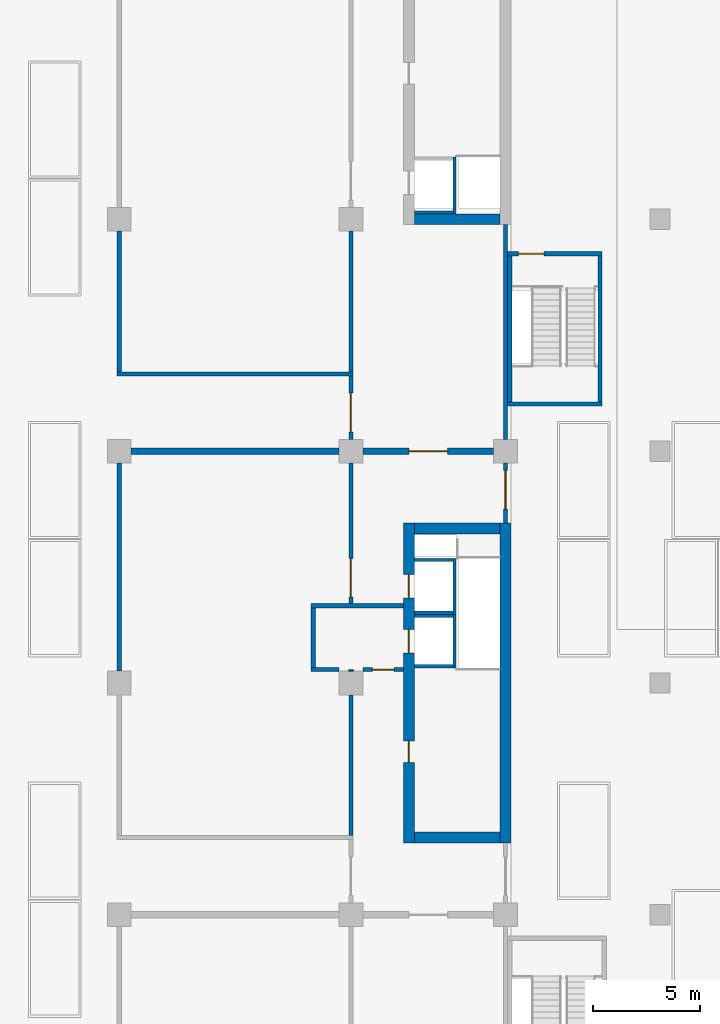
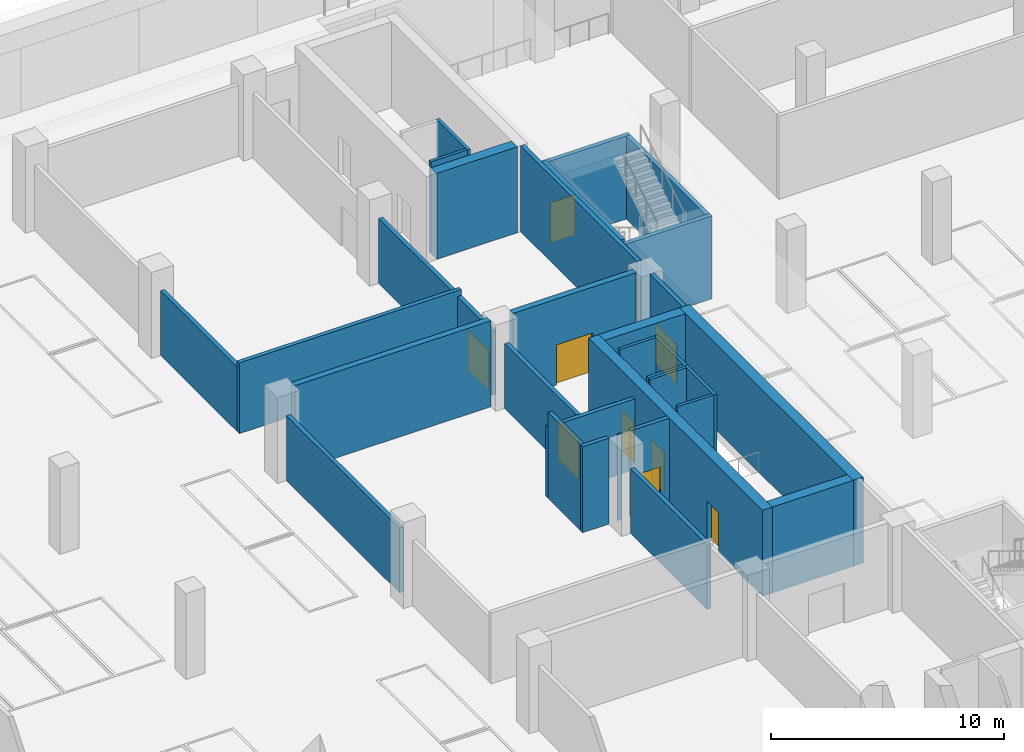
# One storey, part 6 of 18: 33 walls, 9 doors, 9 openings.
"""IFC4 building model written with IfcOpenShell, lengths in metres."""

from ifc_helpers import new_model, si_unit, direction, frame, frame_2d, origin, place, context, subcontext, project, spatial, rectangle, extrude, material, layer, layer_set, type_object, element, fill, save


model = new_model("IFC4")

# Units and contexts
model_context = context("Model", 3, precision=1e-05, world=origin(), true_north=direction((0.0, 1.0)))
body_context = subcontext(model_context, "Body", "Model", "MODEL_VIEW")
ifc_project = project(units=[si_unit("LENGTHUNIT", "METRE"), si_unit("AREAUNIT", "SQUARE_METRE"), si_unit("VOLUMEUNIT", "CUBIC_METRE"), si_unit("PLANEANGLEUNIT", "RADIAN"), si_unit("MASSUNIT", "GRAM", prefix="KILO")], contexts=[model_context])

# Site, building, storey
site_placement = place(None, origin())
site = spatial("IfcSite", under=ifc_project, at=site_placement, CompositionType="ELEMENT")
building_placement = place(site_placement, origin())
building = spatial("IfcBuilding", under=site, at=building_placement, Name="Basin Gate Institute", CompositionType="ELEMENT")
storey_placement = place(building_placement, frame((0.0, 0.0, -4.800048828125)))
storey = spatial("IfcBuildingStorey", under=building, at=storey_placement, Name="B1", CompositionType="ELEMENT", Elevation=-4.800048828125)

# Wall, opening, door
ifc_material_1 = material(Name="Concrete 50 MPa", Category="concrete")
ifc_layer_1 = layer(ifc_material_1, 0.199951171875)
ifc_layer_set_1 = layer_set([ifc_layer_1], Name="Concrete 50 MPa")
wall_type_1 = type_object("IfcWallType", Name="Basement bearing wall W66 REI 180", PredefinedType="SOLIDWALL", material=ifc_layer_set_1)
wall_1_placement = place(storey_placement, frame((118.800048828125, 74.949951171875, 0.0), z_axis=(0.0, 0.0, 1.0), x_axis=(0.0, 1.0, 0.0)))
wall_1 = element("IfcWall", 1, at=wall_1_placement, inside=storey, type_object=wall_type_1, material=ifc_layer_set_1, Name="Service Corridor B1 East bearing wall", PredefinedType="SOLIDWALL", context=body_context, shape_type="SweptSolid", body=[
    extrude(rectangle(XDim=2.800048828125, YDim=0.199951171875, at=frame_2d((1.39990234375, 0.0))), origin(), (0.0, 0.0, 1.0), 4.5),
])
opening_1_placement = place(wall_1_placement, frame((0.64990234375, 0.0, 0.0)))
opening_1 = element("IfcOpeningElement", 2, at=opening_1_placement, cuts=wall_1, Name="Opening DB117", PredefinedType="OPENING", context=body_context, shape_type="SweptSolid", body=[
    extrude(rectangle(XDim=1.800048828125, YDim=2.10009765625, at=frame_2d((0.89990234375, 1.050048828125))), frame((0.0, 0.10986328125, 0.0), z_axis=(0.0, -1.0, 0.0), x_axis=(1.0, 0.0, 0.0)), (0.0, 0.0, 1.0), 0.219970703125),
])
ifc_material_2 = material(Name="Steel door set", Category="steel")
door_type_1 = type_object("IfcDoorType", Name="Double fire door FD120 1800x2100", OperationType="DOUBLE_DOOR_SINGLE_SWING", PredefinedType="DOOR", material=ifc_material_2)
door_1_placement = place(opening_1_placement, origin())
door_1 = element("IfcDoor", 3, at=door_1_placement, inside=storey, type_object=door_type_1, material=ifc_material_2, Name="Door DB117 Service Corridor B1 East", OperationType="DOUBLE_DOOR_SINGLE_SWING", OverallHeight=2.10009765625, OverallWidth=1.800048828125, PredefinedType="DOOR", context=body_context, shape_type="SweptSolid", body=[
    extrude(rectangle(XDim=1.800048828125, YDim=2.10009765625, at=frame_2d((0.89990234375, 1.050048828125))), frame((0.0, 0.02490234375, 0.0), z_axis=(0.0, -1.0, 0.0), x_axis=(1.0, 0.0, 0.0)), (0.0, 0.0, 1.0), 0.050048828125),
])
fill(opening_1, door_1)

# Walls
wall_2_placement = place(storey_placement, frame((118.800048828125, 78.85009765625, 0.0), z_axis=(0.0, 0.0, 1.0), x_axis=(0.0, 1.0, 0.0)))
element("IfcWall", 4, at=wall_2_placement, inside=storey, type_object=wall_type_1, material=ifc_layer_set_1, Name="Service Corridor B1 East bearing wall", PredefinedType="SOLIDWALL", context=body_context, shape_type="SweptSolid", body=[
    extrude(rectangle(XDim=10.0, YDim=0.199951171875, at=frame_2d((5.0, 0.0))), origin(), (0.0, 0.0, 1.0), 4.5),
])
ifc_material_3 = material(Name="Blockwork", Category="masonry")
ifc_layer_2 = layer(ifc_material_3, 0.199951171875)
ifc_layer_set_2 = layer_set([ifc_layer_2], Name="Basement fire partition EI 120")
wall_type_2 = type_object("IfcWallType", Name="Basement fire partition EI 120", PredefinedType="PARTITIONING", material=ifc_layer_set_2)
wall_3_placement = place(storey_placement, frame((100.699951171875, 81.89990234375, 0.0), z_axis=(0.0, 0.0, 1.0), x_axis=(1.0, 0.0, 0.0)))
element("IfcWall", 5, at=wall_3_placement, inside=storey, type_object=wall_type_2, material=ifc_layer_set_2, Name="Sample Archive fire-resisting wall", PredefinedType="PARTITIONING", context=body_context, shape_type="SweptSolid", body=[
    extrude(rectangle(XDim=11.0, YDim=0.199951171875, at=frame_2d((5.5, 0.0))), origin(), (0.0, 0.0, 1.0), 3.699951171875),
])
wall_4_placement = place(storey_placement, frame((100.800048828125, 68.050048828125, 0.0), z_axis=(0.0, 0.0, 1.0), x_axis=(0.0, 1.0, 0.0)))
element("IfcWall", 6, at=wall_4_placement, inside=storey, type_object=wall_type_2, material=ifc_layer_set_2, Name="Chemical Store fire-resisting wall", PredefinedType="PARTITIONING", context=body_context, shape_type="SweptSolid", body=[
    extrude(rectangle(XDim=9.699951171875, YDim=0.199951171875, at=frame_2d((4.85009765625, 0.0))), origin(), (0.0, 0.0, 1.0), 3.400146484375),
])
for number, where, z_axis, x_axis, name in (
    (7, (100.800048828125, 82.0, 0.0), (0.0, 0.0, 1.0), (0.0, 1.0, 0.0), "Sample Archive fire-resisting wall"),
    (8, (111.60009765625, 60.39990234375, 0.0), (0.0, 0.0, 1.0), (0.0, 1.0, 0.0), "Chemical Store fire-resisting wall"),
):
    element("IfcWall", number, at=place(storey_placement, frame(where, z_axis=z_axis, x_axis=x_axis)), inside=storey, type_object=wall_type_2, material=ifc_layer_set_2, Name=name, PredefinedType="PARTITIONING", context=body_context, shape_type="SweptSolid", body=[
        extrude(rectangle(XDim=6.550048828125, YDim=0.199951171875, at=frame_2d((3.27490234375, 0.0))), origin(), (0.0, 0.0, 1.0), 3.400146484375),
    ])
wall_5_placement = place(storey_placement, frame((111.60009765625, 68.050048828125, 0.0), z_axis=(0.0, 0.0, 1.0), x_axis=(0.0, 1.0, 0.0)))
element("IfcWall", 9, at=wall_5_placement, inside=storey, type_object=wall_type_2, material=ifc_layer_set_2, Name="Chemical Store fire-resisting wall", PredefinedType="PARTITIONING", context=body_context, shape_type="SweptSolid", body=[
    extrude(rectangle(XDim=0.074951171875, YDim=0.199951171875, at=frame_2d((0.03759765625, 0.0))), origin(), (0.0, 0.0, 1.0), 4.5),
])

# Wall, opening, door
wall_6_placement = place(storey_placement, frame((111.60009765625, 71.199951171875, 0.0), z_axis=(0.0, 0.0, 1.0), x_axis=(0.0, 1.0, 0.0)))
wall_6 = element("IfcWall", 10, at=wall_6_placement, inside=storey, type_object=wall_type_2, material=ifc_layer_set_2, Name="Chemical Store fire-resisting wall", PredefinedType="PARTITIONING", context=body_context, shape_type="SweptSolid", body=[
    extrude(rectangle(XDim=6.550048828125, YDim=0.199951171875, at=frame_2d((3.27490234375, 0.0))), origin(), (0.0, 0.0, 1.0), 3.400146484375),
])
opening_2_placement = place(wall_6_placement, frame((0.300048828125, 0.0, 0.0)))
opening_2 = element("IfcOpeningElement", 11, at=opening_2_placement, cuts=wall_6, Name="Opening DB108", PredefinedType="OPENING", context=body_context, shape_type="SweptSolid", body=[
    extrude(rectangle(XDim=1.800048828125, YDim=2.10009765625, at=frame_2d((0.89990234375, 1.050048828125))), frame((0.0, 0.10986328125, 0.0), z_axis=(0.0, -1.0, 0.0), x_axis=(1.0, 0.0, 0.0)), (0.0, 0.0, 1.0), 0.219970703125),
])
door_2_placement = place(opening_2_placement, origin())
door_2 = element("IfcDoor", 12, at=door_2_placement, inside=storey, type_object=door_type_1, material=ifc_material_2, Name="Door DB108 Chemical Store", OperationType="DOUBLE_DOOR_SINGLE_SWING", OverallHeight=2.10009765625, OverallWidth=1.800048828125, PredefinedType="DOOR", context=body_context, shape_type="SweptSolid", body=[
    extrude(rectangle(XDim=1.800048828125, YDim=2.10009765625, at=frame_2d((0.89990234375, 1.050048828125))), frame((0.0, 0.02490234375, 0.0), z_axis=(0.0, -1.0, 0.0), x_axis=(1.0, 0.0, 0.0)), (0.0, 0.0, 1.0), 0.050048828125),
])
fill(opening_2, door_2)

# Walls
wall_7_placement = place(storey_placement, frame((111.60009765625, 82.0, 0.0), z_axis=(0.0, 0.0, 1.0), x_axis=(0.0, 1.0, 0.0)))
element("IfcWall", 13, at=wall_7_placement, inside=storey, type_object=wall_type_2, material=ifc_layer_set_2, Name="Sample Archive fire-resisting wall", PredefinedType="PARTITIONING", context=body_context, shape_type="SweptSolid", body=[
    extrude(rectangle(XDim=6.550048828125, YDim=0.199951171875, at=frame_2d((3.27490234375, 0.0))), origin(), (0.0, 0.0, 1.0), 3.400146484375),
])
ifc_material_4 = material(Name="Blockwork", Category="masonry")
ifc_layer_3 = layer(ifc_material_4, 0.199951171875)
ifc_layer_set_3 = layer_set([ifc_layer_3], Name="Basement fire partition EI 60")
wall_type_3 = type_object("IfcWallType", Name="Basement fire partition EI 60", PredefinedType="PARTITIONING", material=ifc_layer_set_3)
wall_8_placement = place(storey_placement, frame((109.75, 68.125, 0.0), z_axis=(0.0, 0.0, 1.0), x_axis=(1.0, 0.0, 0.0)))
element("IfcWall", 14, at=wall_8_placement, inside=storey, type_object=wall_type_3, material=ifc_layer_set_3, Name="Emergency Lift Lobby B1 LF2 fire-resisting wall", PredefinedType="PARTITIONING", context=body_context, shape_type="SweptSolid", body=[
    extrude(rectangle(XDim=1.300048828125, YDim=0.199951171875, at=frame_2d((0.64990234375, 0.0))), origin(), (0.0, 0.0, 1.0), 4.5),
])

# Wall, opening, door
wall_9_placement = place(storey_placement, frame((112.14990234375, 68.125, 0.0), z_axis=(0.0, 0.0, 1.0), x_axis=(1.0, 0.0, 0.0)))
wall_9 = element("IfcWall", 15, at=wall_9_placement, inside=storey, type_object=wall_type_3, material=ifc_layer_set_3, Name="Emergency Lift Lobby B1 LF2 fire-resisting wall", PredefinedType="PARTITIONING", context=body_context, shape_type="SweptSolid", body=[
    extrude(rectangle(XDim=1.900146484375, YDim=0.199951171875, at=frame_2d((0.9501953125, 0.0))), origin(), (0.0, 0.0, 1.0), 4.5),
])
opening_3_placement = place(wall_9_placement, frame((0.449951171875, 0.0, 0.0)))
opening_3 = element("IfcOpeningElement", 16, at=opening_3_placement, cuts=wall_9, Name="Opening DB129", PredefinedType="OPENING", context=body_context, shape_type="SweptSolid", body=[
    extrude(rectangle(XDim=1.0, YDim=2.10009765625, at=frame_2d((0.5, 1.050048828125))), frame((0.0, 0.10986328125, 0.0), z_axis=(0.0, -1.0, 0.0), x_axis=(1.0, 0.0, 0.0)), (0.0, 0.0, 1.0), 0.219970703125),
])
ifc_material_5 = material(Name="Steel door set", Category="steel")
door_type_2 = type_object("IfcDoorType", Name="Fire door FD60 1000x2100", OperationType="NOTDEFINED", PredefinedType="DOOR", material=ifc_material_5)
door_3_placement = place(opening_3_placement, frame((1.0, 0.0, 0.0), z_axis=(0.0, 0.0, 1.0), x_axis=(-1.0, 0.0, 0.0)))
door_3 = element("IfcDoor", 17, at=door_3_placement, inside=storey, type_object=door_type_2, material=ifc_material_5, Name="Door DB129 Emergency Lift Lobby B1 LF2", OperationType="SINGLE_SWING_LEFT", OverallHeight=2.10009765625, OverallWidth=1.0, PredefinedType="DOOR", context=body_context, shape_type="SweptSolid", body=[
    extrude(rectangle(XDim=1.0, YDim=2.10009765625, at=frame_2d((0.5, 1.050048828125))), frame((0.0, 0.02490234375, 0.0), z_axis=(0.0, -1.0, 0.0), x_axis=(1.0, 0.0, 0.0)), (0.0, 0.0, 1.0), 0.050048828125),
])
fill(opening_3, door_3)

# Walls
wall_10_placement = place(storey_placement, frame((109.75, 71.10009765625, 0.0), z_axis=(0.0, 0.0, 1.0), x_axis=(1.0, 0.0, 0.0)))
element("IfcWall", 18, at=wall_10_placement, inside=storey, type_object=wall_type_3, material=ifc_layer_set_3, Name="Emergency Lift Lobby B1 LF2 fire-resisting wall", PredefinedType="PARTITIONING", context=body_context, shape_type="SweptSolid", body=[
    extrude(rectangle(XDim=4.300048828125, YDim=0.199951171875, at=frame_2d((2.14990234375, 0.0))), origin(), (0.0, 0.0, 1.0), 3.699951171875),
])
wall_11_placement = place(storey_placement, frame((109.85009765625, 68.22509765625, 0.0), z_axis=(0.0, 0.0, 1.0), x_axis=(0.0, 1.0, 0.0)))
element("IfcWall", 19, at=wall_11_placement, inside=storey, type_object=wall_type_3, material=ifc_layer_set_3, Name="Emergency Lift Lobby B1 LF2 fire-resisting wall", PredefinedType="PARTITIONING", context=body_context, shape_type="SweptSolid", body=[
    extrude(rectangle(XDim=2.77490234375, YDim=0.199951171875, at=frame_2d((1.387451171875, 0.0))), origin(), (0.0, 0.0, 1.0), 4.5),
])

# Wall, opening, door
wall_12_placement = place(storey_placement, frame((111.60009765625, 78.85009765625, 0.0), z_axis=(0.0, 0.0, 1.0), x_axis=(0.0, 1.0, 0.0)))
wall_12 = element("IfcWall", 20, at=wall_12_placement, inside=storey, type_object=wall_type_3, material=ifc_layer_set_3, Name="Service Corridor B1 East fire-resisting wall", PredefinedType="PARTITIONING", context=body_context, shape_type="SweptSolid", body=[
    extrude(rectangle(XDim=2.949951171875, YDim=0.199951171875, at=frame_2d((1.47509765625, 0.0))), origin(), (0.0, 0.0, 1.0), 3.400146484375),
])
opening_4_placement = place(wall_12_placement, frame((0.35009765625, 0.0, 0.0)))
opening_4 = element("IfcOpeningElement", 21, at=opening_4_placement, cuts=wall_12, Name="Opening DB121", PredefinedType="OPENING", context=body_context, shape_type="SweptSolid", body=[
    extrude(rectangle(XDim=1.800048828125, YDim=2.10009765625, at=frame_2d((0.89990234375, 1.050048828125))), frame((0.0, 0.10986328125, 0.0), z_axis=(0.0, -1.0, 0.0), x_axis=(1.0, 0.0, 0.0)), (0.0, 0.0, 1.0), 0.219970703125),
])
ifc_material_6 = material(Name="Steel door set", Category="steel")
door_type_3 = type_object("IfcDoorType", Name="Double fire door FD60 1800x2100", OperationType="DOUBLE_DOOR_SINGLE_SWING", PredefinedType="DOOR", material=ifc_material_6)
door_4_placement = place(opening_4_placement, frame((1.800048828125, 0.0, 0.0), z_axis=(0.0, 0.0, 1.0), x_axis=(-1.0, 0.0, 0.0)))
door_4 = element("IfcDoor", 22, at=door_4_placement, inside=storey, type_object=door_type_3, material=ifc_material_6, Name="Door DB121 Service Corridor B1 East", OperationType="DOUBLE_DOOR_SINGLE_SWING", OverallHeight=2.10009765625, OverallWidth=1.800048828125, PredefinedType="DOOR", context=body_context, shape_type="SweptSolid", body=[
    extrude(rectangle(XDim=1.800048828125, YDim=2.10009765625, at=frame_2d((0.89990234375, 1.050048828125))), frame((0.0, 0.02490234375, 0.0), z_axis=(0.0, -1.0, 0.0), x_axis=(1.0, 0.0, 0.0)), (0.0, 0.0, 1.0), 0.050048828125),
])
fill(opening_4, door_4)

# Wall
ifc_material_7 = material(Name="Concrete 35 MPa", Category="concrete")
ifc_layer_4 = layer(ifc_material_7, 0.199951171875)
ifc_layer_set_4 = layer_set([ifc_layer_4], Name="Concrete 35 MPa")
wall_type_4 = type_object("IfcWallType", Name="Basement stair enclosure wall W67 REI 120", PredefinedType="SOLIDWALL", material=ifc_layer_set_4)
wall_13_placement = place(storey_placement, frame((118.89990234375, 80.5, 0.0), z_axis=(0.0, 0.0, 1.0), x_axis=(1.0, 0.0, 0.0)))
element("IfcWall", 23, at=wall_13_placement, inside=storey, type_object=wall_type_4, material=ifc_layer_set_4, Name="Stair Enclosure BS4 B1 enclosure wall", PredefinedType="SOLIDWALL", context=body_context, shape_type="SweptSolid", body=[
    extrude(rectangle(XDim=4.400146484375, YDim=0.199951171875, at=frame_2d((2.2001953125, 0.0))), origin(), (0.0, 0.0, 1.0), 4.35009765625),
])

# Wall, opening, door
wall_14_placement = place(storey_placement, frame((118.89990234375, 87.5, 0.0), z_axis=(0.0, 0.0, 1.0), x_axis=(1.0, 0.0, 0.0)))
wall_14 = element("IfcWall", 24, at=wall_14_placement, inside=storey, type_object=wall_type_4, material=ifc_layer_set_4, Name="Stair Enclosure BS4 B1 enclosure wall", PredefinedType="SOLIDWALL", context=body_context, shape_type="SweptSolid", body=[
    extrude(rectangle(XDim=4.400146484375, YDim=0.199951171875, at=frame_2d((2.2001953125, 0.0))), origin(), (0.0, 0.0, 1.0), 4.35009765625),
])
opening_5_placement = place(wall_14_placement, frame((0.5, 0.0, 0.0)))
opening_5 = element("IfcOpeningElement", 25, at=opening_5_placement, cuts=wall_14, Name="Opening DB134", PredefinedType="OPENING", context=body_context, shape_type="SweptSolid", body=[
    extrude(rectangle(XDim=1.199951171875, YDim=2.10009765625, at=frame_2d((0.60009765625, 1.050048828125))), frame((0.0, 0.10986328125, 0.0), z_axis=(0.0, -1.0, 0.0), x_axis=(1.0, 0.0, 0.0)), (0.0, 0.0, 1.0), 0.219970703125),
])
ifc_material_8 = material(Name="Steel door set", Category="steel")
door_type_4 = type_object("IfcDoorType", Name="Stair door FD120 1200x2100", OperationType="NOTDEFINED", PredefinedType="DOOR", material=ifc_material_8)
door_5_placement = place(opening_5_placement, frame((1.199951171875, 0.0, 0.0), z_axis=(0.0, 0.0, 1.0), x_axis=(-1.0, 0.0, 0.0)))
door_5 = element("IfcDoor", 26, at=door_5_placement, inside=storey, type_object=door_type_4, material=ifc_material_8, Name="Door DB134 Stair Enclosure BS4 B1", OperationType="SINGLE_SWING_RIGHT", OverallHeight=2.10009765625, OverallWidth=1.199951171875, PredefinedType="DOOR", context=body_context, shape_type="SweptSolid", body=[
    extrude(rectangle(XDim=1.199951171875, YDim=2.10009765625, at=frame_2d((0.60009765625, 1.050048828125))), frame((0.0, 0.02490234375, 0.0), z_axis=(0.0, -1.0, 0.0), x_axis=(1.0, 0.0, 0.0)), (0.0, 0.0, 1.0), 0.050048828125),
])
fill(opening_5, door_5)

# Walls
wall_15_placement = place(storey_placement, frame((119.0, 80.60009765625, 0.0), z_axis=(0.0, 0.0, 1.0), x_axis=(0.0, 1.0, 0.0)))
element("IfcWall", 27, at=wall_15_placement, inside=storey, type_object=wall_type_4, material=ifc_layer_set_4, Name="Stair Enclosure BS4 B1 enclosure wall", PredefinedType="SOLIDWALL", context=body_context, shape_type="SweptSolid", body=[
    extrude(rectangle(XDim=6.7998046875, YDim=0.199951171875, at=frame_2d((3.39990234375, 0.0))), origin(), (0.0, 0.0, 1.0), 4.5),
])
wall_16_placement = place(storey_placement, frame((123.199951171875, 80.60009765625, 0.0), z_axis=(0.0, 0.0, 1.0), x_axis=(0.0, 1.0, 0.0)))
element("IfcWall", 28, at=wall_16_placement, inside=storey, type_object=wall_type_4, material=ifc_layer_set_4, Name="Stair Enclosure BS4 B1 enclosure wall", PredefinedType="SOLIDWALL", context=body_context, shape_type="SweptSolid", body=[
    extrude(rectangle(XDim=6.7998046875, YDim=0.199951171875, at=frame_2d((3.39990234375, 0.0))), origin(), (0.0, 0.0, 1.0), 4.35009765625),
])
ifc_material_9 = material(Name="Concrete 40 MPa", Category="concrete")
ifc_layer_5 = layer(ifc_material_9, 0.14990234375)
ifc_layer_set_5 = layer_set([ifc_layer_5], Name="Concrete 40 MPa")
wall_type_5 = type_object("IfcWallType", Name="Wall LS1 lift shaft enclosure R180", PredefinedType="SOLIDWALL", material=ifc_layer_set_5)
wall_17_placement = place(storey_placement, frame((116.425048828125, 68.199951171875, 0.0), z_axis=(0.0, 0.0, 1.0), x_axis=(0.0, 1.0, 0.0)))
element("IfcWall", 29, at=wall_17_placement, inside=storey, type_object=wall_type_5, material=ifc_layer_set_5, Name="Lift shaft enclosure LF2 B1 UL", PredefinedType="SOLIDWALL", context=body_context, shape_type="SweptSolid", body=[
    extrude(rectangle(XDim=2.5, YDim=0.14990234375, at=frame_2d((1.25, 0.0))), origin(), (0.0, 0.0, 1.0), 4.800048828125),
])
for number, where, z_axis, x_axis, name in (
    (30, (116.35009765625, 68.27490234375, 0.0), (0.0, 0.0, 1.0), (-1.0, 0.0, 0.0), "Lift shaft enclosure LF2 B1 RL"),
    (31, (116.35009765625, 70.625, 0.0), (0.0, 0.0, 1.0), (-1.0, 0.0, 0.0), "Lift shaft enclosure LF2 B1 RH"),
):
    element("IfcWall", number, at=place(storey_placement, frame(where, z_axis=z_axis, x_axis=x_axis)), inside=storey, type_object=wall_type_5, material=ifc_layer_set_5, Name=name, PredefinedType="SOLIDWALL", context=body_context, shape_type="SweptSolid", body=[
        extrude(rectangle(XDim=1.800048828125, YDim=0.14990234375, at=frame_2d((0.89990234375, 0.0))), origin(), (0.0, 0.0, 1.0), 4.800048828125),
    ])
wall_18_placement = place(storey_placement, frame((116.425048828125, 70.699951171875, 0.0), z_axis=(0.0, 0.0, 1.0), x_axis=(0.0, 1.0, 0.0)))
element("IfcWall", 32, at=wall_18_placement, inside=storey, type_object=wall_type_5, material=ifc_layer_set_5, Name="Lift shaft enclosure LP5 B1 UL", PredefinedType="SOLIDWALL", context=body_context, shape_type="SweptSolid", body=[
    extrude(rectangle(XDim=2.60009765625, YDim=0.14990234375, at=frame_2d((1.300048828125, 0.0))), origin(), (0.0, 0.0, 1.0), 4.800048828125),
])
for number, where, z_axis, x_axis, name in (
    (33, (116.35009765625, 70.77490234375, 0.0), (0.0, 0.0, 1.0), (-1.0, 0.0, 0.0), "Lift shaft enclosure LP5 B1 RL"),
    (34, (116.35009765625, 73.22509765625, 0.0), (0.0, 0.0, 1.0), (-1.0, 0.0, 0.0), "Lift shaft enclosure LP5 B1 RH"),
):
    element("IfcWall", number, at=place(storey_placement, frame(where, z_axis=z_axis, x_axis=x_axis)), inside=storey, type_object=wall_type_5, material=ifc_layer_set_5, Name=name, PredefinedType="SOLIDWALL", context=body_context, shape_type="SweptSolid", body=[
        extrude(rectangle(XDim=1.800048828125, YDim=0.14990234375, at=frame_2d((0.89990234375, 0.0))), origin(), (0.0, 0.0, 1.0), 4.800048828125),
    ])
wall_19_placement = place(storey_placement, frame((116.425048828125, 92.0, 0.0), z_axis=(0.0, 0.0, 1.0), x_axis=(0.0, -1.0, 0.0)))
element("IfcWall", 35, at=wall_19_placement, inside=storey, type_object=wall_type_5, material=ifc_layer_set_5, Name="Lift shaft enclosure LP6 B1 UL", PredefinedType="SOLIDWALL", context=body_context, shape_type="SweptSolid", body=[
    extrude(rectangle(XDim=2.64990234375, YDim=0.14990234375, at=frame_2d((1.324951171875, 0.0))), origin(), (0.0, 0.0, 1.0), 4.800048828125),
])
wall_20_placement = place(storey_placement, frame((116.35009765625, 89.425048828125, 0.0), z_axis=(0.0, 0.0, 1.0), x_axis=(-1.0, 0.0, 0.0)))
element("IfcWall", 36, at=wall_20_placement, inside=storey, type_object=wall_type_5, material=ifc_layer_set_5, Name="Lift shaft enclosure LP6 B1 RH", PredefinedType="SOLIDWALL", context=body_context, shape_type="SweptSolid", body=[
    extrude(rectangle(XDim=1.800048828125, YDim=0.14990234375, at=frame_2d((0.89990234375, 0.0))), origin(), (0.0, 0.0, 1.0), 4.800048828125),
])
ifc_material_10 = material(Name="Concrete 60 MPa", Category="concrete")
ifc_layer_6 = layer(ifc_material_10, 0.5)
ifc_layer_set_6 = layer_set([ifc_layer_6], Name="Concrete 60 MPa")
wall_type_6 = type_object("IfcWallType", Name="Wall SW1 R180", PredefinedType="SHEAR", material=ifc_layer_set_6)
wall_21_placement = place(storey_placement, frame((118.800048828125, 60.050048828125, 0.0), z_axis=(0.0, 0.0, 1.0), x_axis=(0.0, 1.0, 0.0)))
element("IfcWall", 37, at=wall_21_placement, inside=storey, type_object=wall_type_6, material=ifc_layer_set_6, Name="WALL/B1/EM/L", PredefinedType="SHEAR", context=body_context, shape_type="SweptSolid", body=[
    extrude(rectangle(XDim=14.89990234375, YDim=0.5, at=frame_2d((7.449951171875, 0.0))), origin(), (0.0, 0.0, 1.0), 4.5),
])

# Wall, openings, doors
wall_22_placement = place(storey_placement, frame((114.300048828125, 60.050048828125, 0.0), z_axis=(0.0, 0.0, 1.0), x_axis=(0.0, 1.0, 0.0)))
wall_22 = element("IfcWall", 38, at=wall_22_placement, inside=storey, type_object=wall_type_6, material=ifc_layer_set_6, Name="WALL/B1/EM/C", PredefinedType="SHEAR", context=body_context, shape_type="SweptSolid", body=[
    extrude(rectangle(XDim=14.89990234375, YDim=0.5, at=frame_2d((7.449951171875, 0.0))), origin(), (0.0, 0.0, 1.0), 4.5),
])
opening_6_placement = place(wall_22_placement, frame((8.85009765625, 0.0, 0.0)))
opening_6 = element("IfcOpeningElement", 39, at=opening_6_placement, cuts=wall_22, Name="Opening LD082", PredefinedType="OPENING", context=body_context, shape_type="SweptSolid", body=[
    extrude(rectangle(XDim=1.10009765625, YDim=2.10009765625, at=frame_2d((0.550048828125, 1.050048828125))), frame((0.0, 0.260009765625, 0.0), z_axis=(0.0, -1.0, 0.0), x_axis=(1.0, 0.0, 0.0)), (0.0, 0.0, 1.0), 0.52001953125),
])
opening_7_placement = place(wall_22_placement, frame((11.39990234375, 0.0, 0.0)))
opening_7 = element("IfcOpeningElement", 40, at=opening_7_placement, cuts=wall_22, Name="Opening LD094", PredefinedType="OPENING", context=body_context, shape_type="SweptSolid", body=[
    extrude(rectangle(XDim=1.10009765625, YDim=2.10009765625, at=frame_2d((0.550048828125, 1.050048828125))), frame((0.0, 0.260009765625, 0.0), z_axis=(0.0, -1.0, 0.0), x_axis=(1.0, 0.0, 0.0)), (0.0, 0.0, 1.0), 0.52001953125),
])
opening_8_placement = place(wall_22_placement, frame((3.75, 0.0, 0.0)))
opening_8 = element("IfcOpeningElement", 41, at=opening_8_placement, cuts=wall_22, Name="Opening DB128", PredefinedType="OPENING", context=body_context, shape_type="SweptSolid", body=[
    extrude(rectangle(XDim=1.0, YDim=2.10009765625, at=frame_2d((0.5, 1.050048828125))), frame((0.0, 0.260009765625, 0.0), z_axis=(0.0, -1.0, 0.0), x_axis=(1.0, 0.0, 0.0)), (0.0, 0.0, 1.0), 0.52001953125),
])
ifc_material_11 = material(Name="Stainless steel", Category="steel")
door_type_5 = type_object("IfcDoorType", Name="FD60 Lift landing door LD", OperationType="SLIDING_TO_LEFT", PredefinedType="DOOR", material=ifc_material_11)
door_6_placement = place(opening_6_placement, origin())
door_6 = element("IfcDoor", 42, at=door_6_placement, inside=storey, type_object=door_type_5, material=ifc_material_11, Name="Lift landing door LF2 B1", OperationType="SLIDING_TO_LEFT", OverallHeight=2.10009765625, OverallWidth=1.10009765625, PredefinedType="DOOR", context=body_context, shape_type="SweptSolid", body=[
    extrude(rectangle(XDim=1.10009765625, YDim=2.10009765625, at=frame_2d((0.550048828125, 1.050048828125))), frame((0.0, 0.02490234375, 0.0), z_axis=(0.0, -1.0, 0.0), x_axis=(1.0, 0.0, 0.0)), (0.0, 0.0, 1.0), 0.050048828125),
])
fill(opening_6, door_6)
door_7_placement = place(opening_7_placement, origin())
door_7 = element("IfcDoor", 43, at=door_7_placement, inside=storey, type_object=door_type_5, material=ifc_material_11, Name="Lift landing door LP5 B1", OperationType="SLIDING_TO_LEFT", OverallHeight=2.10009765625, OverallWidth=1.10009765625, PredefinedType="DOOR", context=body_context, shape_type="SweptSolid", body=[
    extrude(rectangle(XDim=1.10009765625, YDim=2.10009765625, at=frame_2d((0.550048828125, 1.050048828125))), frame((0.0, 0.02490234375, 0.0), z_axis=(0.0, -1.0, 0.0), x_axis=(1.0, 0.0, 0.0)), (0.0, 0.0, 1.0), 0.050048828125),
])
fill(opening_7, door_7)
door_8_placement = place(opening_8_placement, frame((1.0, 0.0, 0.0), z_axis=(0.0, 0.0, 1.0), x_axis=(-1.0, 0.0, 0.0)))
door_8 = element("IfcDoor", 44, at=door_8_placement, inside=storey, type_object=door_type_2, material=ifc_material_5, Name="Door DB128 Mechanical Riser Room B1 EM", OperationType="SINGLE_SWING_RIGHT", OverallHeight=2.10009765625, OverallWidth=1.0, PredefinedType="DOOR", context=body_context, shape_type="SweptSolid", body=[
    extrude(rectangle(XDim=1.0, YDim=2.10009765625, at=frame_2d((0.5, 1.050048828125))), frame((0.0, 0.02490234375, 0.0), z_axis=(0.0, -1.0, 0.0), x_axis=(1.0, 0.0, 0.0)), (0.0, 0.0, 1.0), 0.050048828125),
])
fill(opening_8, door_8)

# Walls
for number, where, z_axis, x_axis, name in (
    (45, (118.550048828125, 60.300048828125, 0.0), (0.0, 0.0, 1.0), (-1.0, 0.0, 0.0), "WALL/B1/EM/S"),
    (46, (118.550048828125, 74.699951171875, 0.0), (0.0, 0.0, 1.0), (-1.0, 0.0, 0.0), "WALL/B1/EM/N"),
    (47, (118.550048828125, 89.10009765625, 0.0), (0.0, 0.0, 1.0), (-1.0, 0.0, 0.0), "WALL/B1/EN/S"),
):
    element("IfcWall", number, at=place(storey_placement, frame(where, z_axis=z_axis, x_axis=x_axis)), inside=storey, type_object=wall_type_6, material=ifc_layer_set_6, Name=name, PredefinedType="SHEAR", context=body_context, shape_type="SweptSolid", body=[
        extrude(rectangle(XDim=4.0, YDim=0.5, at=frame_2d((2.0, 0.0))), origin(), (0.0, 0.0, 1.0), 4.5),
    ])

# Wall, opening, door
ifc_material_12 = material(Name="Concrete 50 MPa", Category="concrete")
ifc_layer_7 = layer(ifc_material_12, 0.300048828125)
ifc_layer_set_7 = layer_set([ifc_layer_7], Name="Concrete 50 MPa")
wall_type_7 = type_object("IfcWallType", Name="Wall XW1 R180", PredefinedType="SHEAR", material=ifc_layer_set_7)
wall_23_placement = place(storey_placement, frame((118.25, 78.300048828125, 0.0), z_axis=(0.0, 0.0, 1.0), x_axis=(-1.0, 0.0, 0.0)))
wall_23 = element("IfcWall", 48, at=wall_23_placement, inside=storey, type_object=wall_type_7, material=ifc_layer_set_7, Name="WALL/B1/EXE/1", PredefinedType="SHEAR", context=body_context, shape_type="SweptSolid", body=[
    extrude(rectangle(XDim=6.10009765625, YDim=0.300048828125, at=frame_2d((3.050048828125, 0.0))), origin(), (0.0, 0.0, 1.0), 4.5),
])
opening_9_placement = place(wall_23_placement, frame((2.14990234375, 0.0, 0.0)))
opening_9 = element("IfcOpeningElement", 49, at=opening_9_placement, cuts=wall_23, Name="Opening DB140", PredefinedType="OPENING", context=body_context, shape_type="SweptSolid", body=[
    extrude(rectangle(XDim=1.800048828125, YDim=2.10009765625, at=frame_2d((0.89990234375, 1.050048828125))), frame((0.0, 0.16015625, 0.0), z_axis=(0.0, -1.0, 0.0), x_axis=(1.0, 0.0, 0.0)), (0.0, 0.0, 1.0), 0.320068359375),
])
door_9_placement = place(opening_9_placement, origin())
door_9 = element("IfcDoor", 50, at=door_9_placement, inside=storey, type_object=door_type_3, material=ifc_material_6, Name="Door DB140 Service Corridor B1 East compartment wall", OperationType="DOUBLE_DOOR_SINGLE_SWING", OverallHeight=2.10009765625, OverallWidth=1.800048828125, PredefinedType="DOOR", context=body_context, shape_type="SweptSolid", body=[
    extrude(rectangle(XDim=1.800048828125, YDim=2.10009765625, at=frame_2d((0.89990234375, 1.050048828125))), frame((0.0, 0.02490234375, 0.0), z_axis=(0.0, -1.0, 0.0), x_axis=(1.0, 0.0, 0.0)), (0.0, 0.0, 1.0), 0.050048828125),
])
fill(opening_9, door_9)

# Wall
wall_24_placement = place(storey_placement, frame((111.050048828125, 78.300048828125, 0.0), z_axis=(0.0, 0.0, 1.0), x_axis=(-1.0, 0.0, 0.0)))
element("IfcWall", 51, at=wall_24_placement, inside=storey, type_object=wall_type_7, material=ifc_layer_set_7, Name="WALL/B1/EXE/2", PredefinedType="SHEAR", context=body_context, shape_type="SweptSolid", body=[
    extrude(rectangle(XDim=9.699951171875, YDim=0.300048828125, at=frame_2d((4.85009765625, 0.0))), origin(), (0.0, 0.0, 1.0), 4.5),
])

save(model, "model.ifc")
